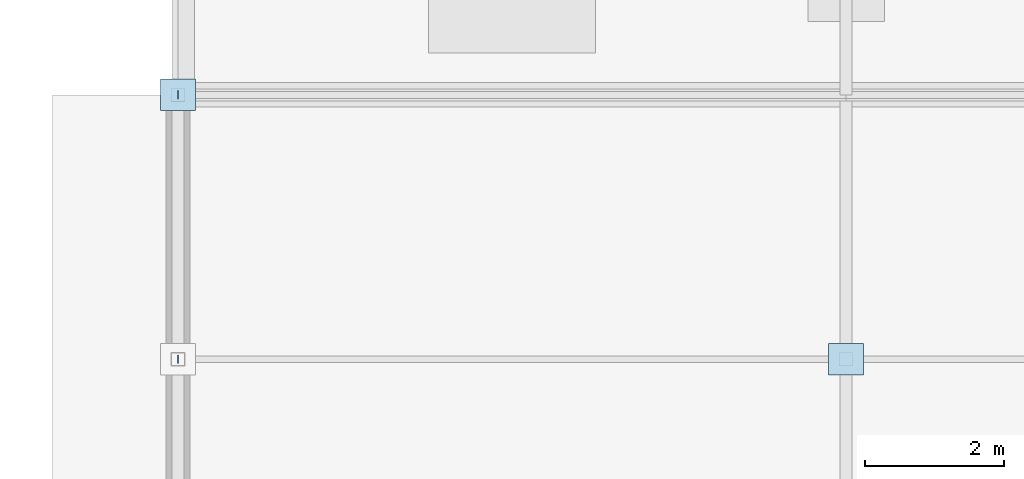
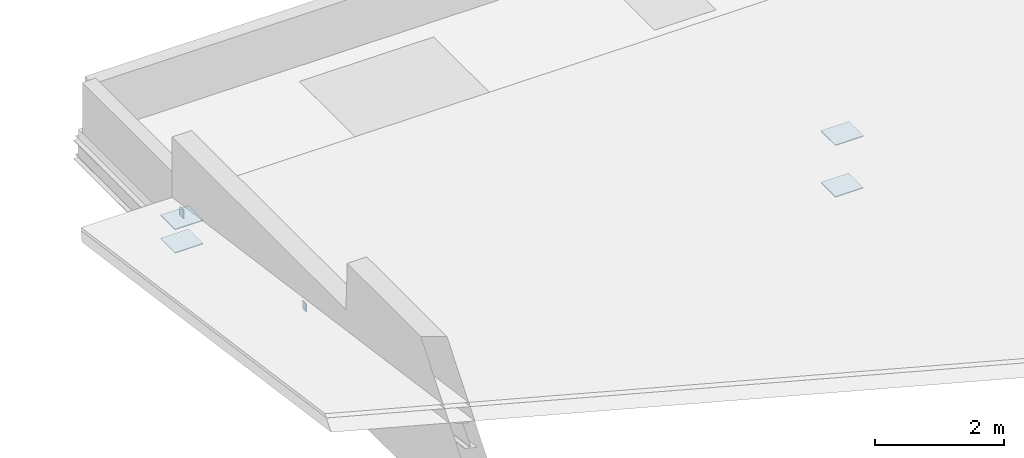
# One storey, part 54 of 70: 6 plates.
"""IFC4 building model written with IfcOpenShell, lengths in metres."""

from ifc_helpers import new_model, si_unit, direction, frame, origin, origin_2d, place, context, subcontext, project, spatial, rectangle, extrude, material, layer, layer_set, type_object, element, save


model = new_model("IFC4")

# Units and contexts
model_context = context("Model", 3, precision=1e-05, world=origin(), true_north=direction((0.0, 1.0)))
body_context = subcontext(model_context, "Body", "Model", "MODEL_VIEW")
ifc_project = project(units=[si_unit("LENGTHUNIT", "METRE"), si_unit("AREAUNIT", "SQUARE_METRE"), si_unit("VOLUMEUNIT", "CUBIC_METRE"), si_unit("PLANEANGLEUNIT", "RADIAN"), si_unit("MASSUNIT", "GRAM", prefix="KILO")], contexts=[model_context])

# Site, building, storey
site_placement = place(None, origin())
site = spatial("IfcSite", under=ifc_project, at=site_placement, CompositionType="ELEMENT")
building_placement = place(site_placement, origin())
building = spatial("IfcBuilding", under=site, at=building_placement, Name="Vondelvale Polytechnic", CompositionType="ELEMENT")
storey_placement = place(building_placement, frame((0.0, 0.0, 22.199951171875)))
storey = spatial("IfcBuildingStorey", under=building, at=storey_placement, Name="L05", CompositionType="ELEMENT", Elevation=22.199951171875)

# Plates
ifc_material = material(Name="Steel Grade 350 (fy = 340 MPa)", Category="steel")
ifc_layer_1 = layer(ifc_material, 0.011962890625)
ifc_layer_set_1 = layer_set([ifc_layer_1], Name="PLATE-CAP-C05")
plate_type_1 = type_object("IfcPlateType", Name="PLATE-CAP-C05", PredefinedType="USERDEFINED", material=ifc_layer_set_1)
for number, where, z_axis, x_axis, name in (
    (1, (134.39990234375, 20.39990234375, 0.818359375), (0.0, 0.0, 1.0), (1.0, 0.0, 0.0), "Lecture wing purlin West end cap plate 20"),
    (2, (134.39990234375, 24.199951171875, 0.28515625), (0.0, 0.0, 1.0), (1.0, 0.0, 0.0), "Lecture wing purlin West end cap plate 24"),
):
    element("IfcPlate", number, at=place(storey_placement, frame(where, z_axis=z_axis, x_axis=x_axis)), inside=storey, type_object=plate_type_1, Name=name, ObjectType="CAP_PLATE", PredefinedType="USERDEFINED", context=body_context, shape_type="SweptSolid", body=[
        extrude(rectangle(XDim=0.011962890625, YDim=0.110107421875, at=origin_2d()), origin(), (0.0, 0.0, 1.0), 0.159912109375),
    ])
ifc_layer_2 = layer(ifc_material, 0.01611328125)
ifc_layer_set_2 = layer_set([ifc_layer_2], Name="PLATE-GUSSET-16")
plate_type_2 = type_object("IfcPlateType", Name="PLATE-GUSSET-16", PredefinedType="USERDEFINED", material=ifc_layer_set_2)
for number, where, z_axis, x_axis, name in (
    (3, (134.39990234375, 24.199951171875, -0.18798828125), (0.0, 0.0, 1.0), (1.0, 0.0, 0.0), "Lecture roof post plate"),
    (4, (134.39990234375, 24.199951171875, 0.25390625), (0.0, 0.0, 1.0), (1.0, 0.0, 0.0), "Lecture roof post plate"),
    (5, (144.0, 20.39990234375, -0.18798828125), (0.0, 0.0, 1.0), (1.0, 0.0, 0.0), "Lecture roof post plate"),
    (6, (144.0, 20.39990234375, 0.787353515625), (0.0, 0.0, 1.0), (1.0, 0.0, 0.0), "Lecture roof post plate"),
):
    element("IfcPlate", number, at=place(storey_placement, frame(where, z_axis=z_axis, x_axis=x_axis)), inside=storey, type_object=plate_type_2, Name=name, ObjectType="GUSSET_PLATE", PredefinedType="USERDEFINED", context=body_context, shape_type="SweptSolid", body=[
        extrude(rectangle(XDim=0.5, YDim=0.449951171875, at=origin_2d()), origin(), (0.0, 0.0, 1.0), 0.01611328125),
    ])

save(model, "model.ifc")
